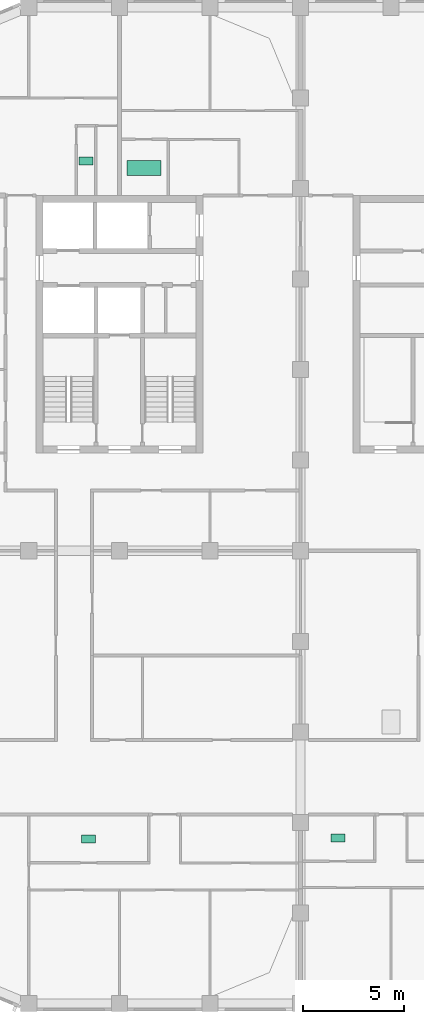
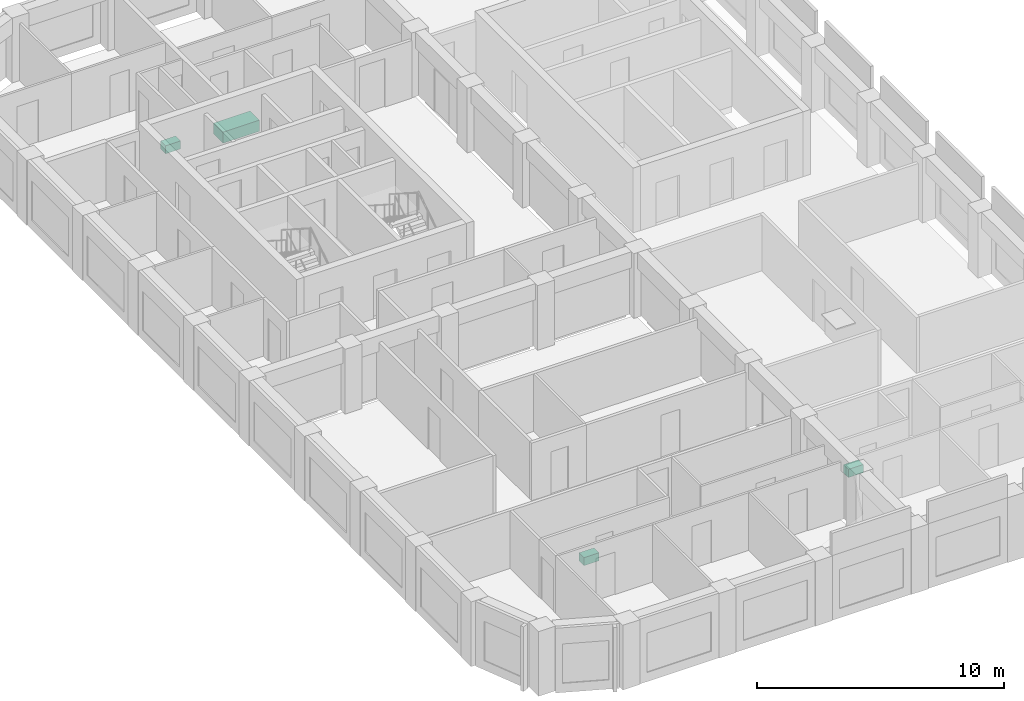
# One storey, part 10 of 10: 4 sanitary terminals.
"""IFC4 building model written with IfcOpenShell, lengths in metres."""

from ifc_helpers import new_model, si_unit, direction, frame, origin, origin_2d, place, context, subcontext, project, spatial, rectangle, extrude, material, type_object, element, save


model = new_model("IFC4")

# Units and contexts
model_context = context("Model", 3, precision=1e-05, world=origin(), true_north=direction((0.0, 1.0)))
body_context = subcontext(model_context, "Body", "Model", "MODEL_VIEW")
ifc_project = project(units=[si_unit("LENGTHUNIT", "METRE"), si_unit("AREAUNIT", "SQUARE_METRE"), si_unit("VOLUMEUNIT", "CUBIC_METRE"), si_unit("PLANEANGLEUNIT", "RADIAN"), si_unit("MASSUNIT", "GRAM", prefix="KILO")], contexts=[model_context])

# Site, building, storey
site_placement = place(None, origin())
site = spatial("IfcSite", under=ifc_project, at=site_placement, CompositionType="ELEMENT")
building_placement = place(site_placement, origin())
building = spatial("IfcBuilding", under=site, at=building_placement, Name="Girih Gate Residences", CompositionType="ELEMENT")
storey_placement = place(building_placement, frame((0.0, 0.0, 232.4951171875)))
storey = spatial("IfcBuildingStorey", under=building, at=storey_placement, Name="L65", CompositionType="ELEMENT", Elevation=232.4951171875)

# Sanitary terminals
ifc_material_1 = material(Name="Acrylic")
sanitary_terminal_type_1 = type_object("IfcSanitaryTerminalType", Name="Bath 1700", PredefinedType="BATH", material=ifc_material_1)
sanitary_terminal_placement = place(storey_placement, frame((10.22802734375, 41.513916015625, 0.0), z_axis=(0.0, 0.0, 1.0), x_axis=(1.0, 0.0, 0.0)))
element("IfcSanitaryTerminal", 1, at=sanitary_terminal_placement, inside=storey, type_object=sanitary_terminal_type_1, Name="Bath 1700 L65", PredefinedType="BATH", context=body_context, shape_type="SweptSolid", body=[
    extrude(rectangle(XDim=1.699951171875, YDim=0.75, at=origin_2d()), origin(), (0.0, 0.0, 1.0), 0.550048828125),
])
ifc_material_2 = material(Name="Vitreous china")
sanitary_terminal_type_2 = type_object("IfcSanitaryTerminalType", Name="WC pan", PredefinedType="TOILETPAN", material=ifc_material_2)
for number, where, z_axis, x_axis, name in (
    (2, (7.47509765625, 8.18896484375, 0.0), (0.0, 0.0, 1.0), (1.0, 0.0, 0.0), "WC pan L65"),
    (3, (7.337890625, 41.85400390625, 0.0), (0.0, 0.0, 1.0), (1.0, 0.0, 0.0), "WC pan L65"),
    (4, (19.868896484375, 8.22900390625, 0.0), (0.0, 0.0, 1.0), (1.0, 0.0, 0.0), "WC pan L65"),
):
    element("IfcSanitaryTerminal", number, at=place(storey_placement, frame(where, z_axis=z_axis, x_axis=x_axis)), inside=storey, type_object=sanitary_terminal_type_2, Name=name, PredefinedType="TOILETPAN", context=body_context, shape_type="SweptSolid", body=[
        extrude(rectangle(XDim=0.699951171875, YDim=0.39990234375, at=origin_2d()), origin(), (0.0, 0.0, 1.0), 0.39990234375),
    ])

save(model, "model.ifc")
